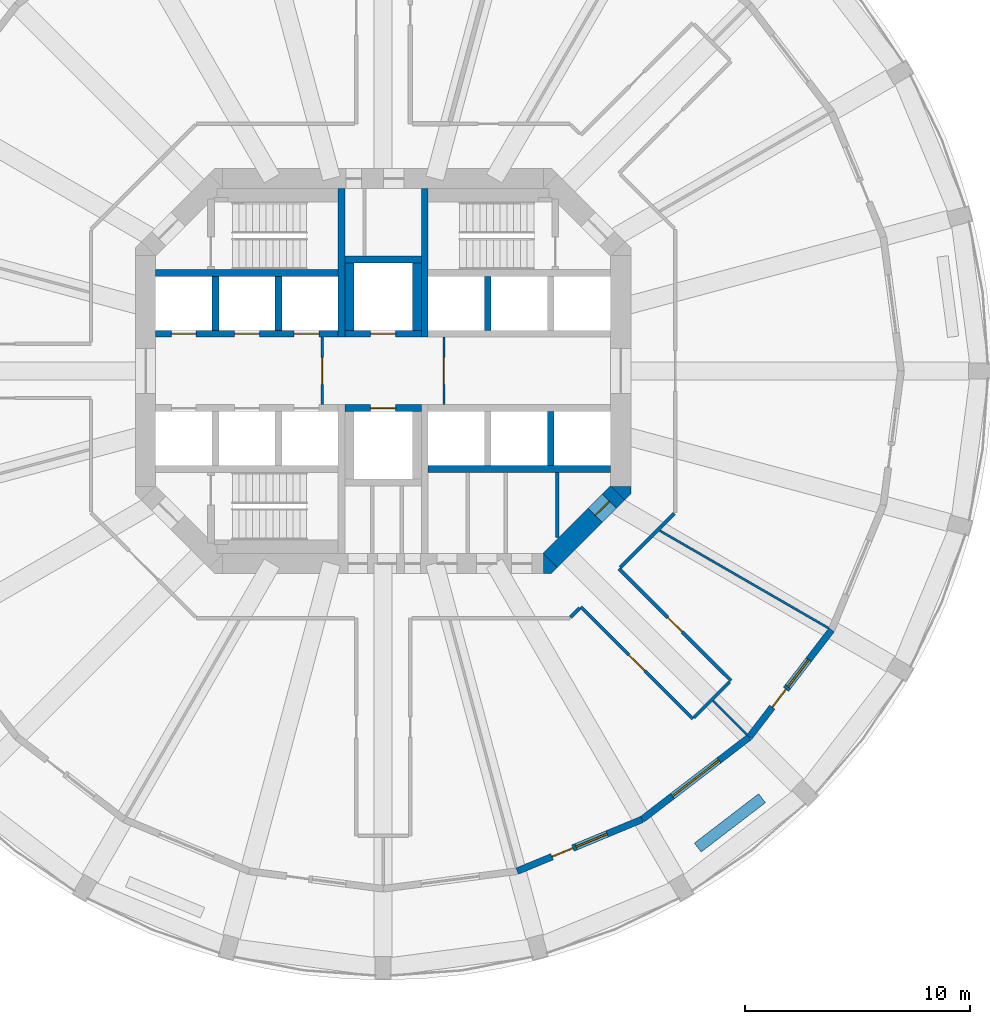
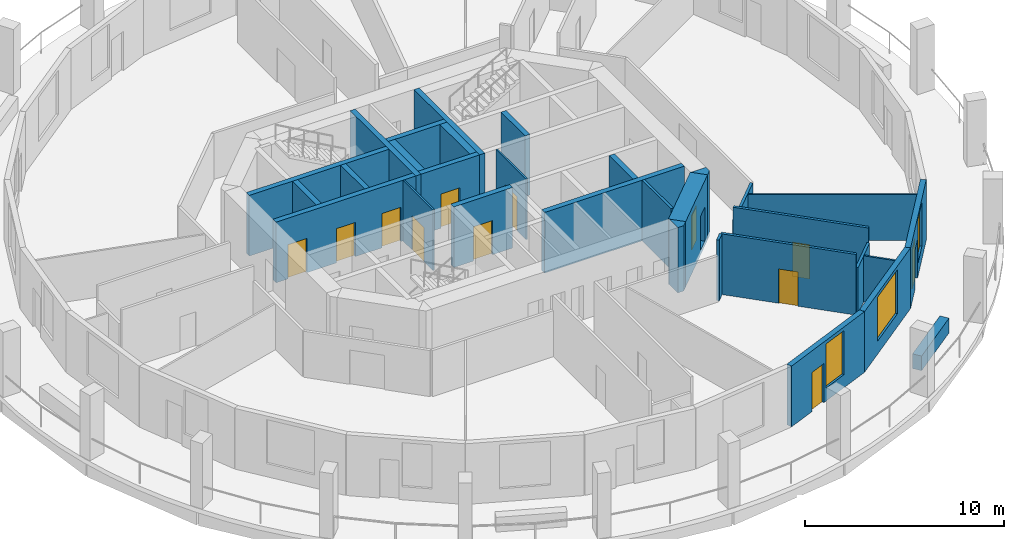
# One storey, part 4 of 9: 31 walls, 12 doors, 3 windows, 15 openings.
"""IFC4 building model written with IfcOpenShell, lengths in metres."""

from ifc_helpers import new_model, si_unit, direction, frame, frame_2d, origin, place, context, subcontext, project, spatial, polyline, rectangle, outline, extrude, material, layer, layer_set, type_object, element, fill, save


model = new_model("IFC4")

# Units and contexts
model_context = context("Model", 3, precision=1e-05, world=origin(), true_north=direction((0.0, 1.0)))
body_context = subcontext(model_context, "Body", "Model", "MODEL_VIEW")
ifc_project = project(units=[si_unit("LENGTHUNIT", "METRE"), si_unit("AREAUNIT", "SQUARE_METRE"), si_unit("VOLUMEUNIT", "CUBIC_METRE"), si_unit("PLANEANGLEUNIT", "RADIAN"), si_unit("MASSUNIT", "GRAM", prefix="KILO")], contexts=[model_context])

# Site, building, storey
site_placement = place(None, origin())
site = spatial("IfcSite", under=ifc_project, at=site_placement, CompositionType="ELEMENT")
building_placement = place(site_placement, origin())
building = spatial("IfcBuilding", under=site, at=building_placement, Name="Torre Triforio", CompositionType="ELEMENT")
storey_placement = place(building_placement, frame((0.0, 0.0, 51.0)))
storey = spatial("IfcBuildingStorey", under=building, at=storey_placement, Name="L10", CompositionType="ELEMENT", Elevation=51.0)

# Walls
ifc_material_1 = material(Name="Concrete C60", Category="concrete")
ifc_layer_1 = layer(ifc_material_1, 0.300048828125)
ifc_layer_set_1 = layer_set([ifc_layer_1], Name="Concrete C60")
wall_type_1 = type_object("IfcWallType", Name="Core wall 300 mm C60 EI 120", PredefinedType="SHEAR", material=ifc_layer_set_1)
for number, where, z_axis, x_axis, name in (
    (1, (-1.85009765625, 1.5, 0.0), (0.0, 0.0, 1.0), (0.0, 1.0, 0.0), "Core wall"),
    (2, (1.85009765625, 1.5, 0.0), (0.0, 0.0, 1.0), (0.0, 1.0, 0.0), "Core wall"),
):
    element("IfcWall", number, at=place(storey_placement, frame(where, z_axis=z_axis, x_axis=x_axis)), inside=storey, type_object=wall_type_1, Name=name, PredefinedType="SHEAR", context=body_context, shape_type="SweptSolid", body=[
        extrude(rectangle(XDim=6.60009765625, YDim=0.300048828125, at=frame_2d((3.300048828125, 0.0))), origin(), (0.0, 0.0, 1.0), 3.719970703125),
    ])

# Wall, opening, door
ifc_layer_2 = layer(ifc_material_1, 0.89990234375)
ifc_layer_set_2 = layer_set([ifc_layer_2], Name="Concrete C60")
wall_type_2 = type_object("IfcWallType", Name="Core wall 900 mm C60 EI 120", PredefinedType="SHEAR", material=ifc_layer_set_2)
wall_1_placement = place(storey_placement, frame((10.418212890625, -5.418212890625, -0.280029296875), z_axis=(0.0, 0.0, 1.0), x_axis=(-0.707106781187, -0.707106781187, 0.0)))
wall_1 = element("IfcWall", 3, at=wall_1_placement, inside=storey, type_object=wall_type_2, Name="Core wall", PredefinedType="SHEAR", context=body_context, shape_type="SweptSolid", body=[
    extrude(rectangle(XDim=4.24267578125, YDim=0.89990234375, at=frame_2d((2.121337890625, 0.0))), origin(), (0.0, 0.0, 1.0), 4.0),
])
opening_1_placement = place(wall_1_placement, frame((0.52001953125, 0.0, 0.280029296875)))
opening_1 = element("IfcOpeningElement", 4, at=opening_1_placement, cuts=wall_1, Name="Opening SE-04", PredefinedType="OPENING", context=body_context, shape_type="SweptSolid", body=[
    extrude(rectangle(XDim=0.89990234375, YDim=2.10009765625, at=frame_2d((0.449951171875, 1.050048828125))), frame((0.0, 0.4599609375, 0.0), z_axis=(0.0, -1.0, 0.0), x_axis=(1.0, 0.0, 0.0)), (0.0, 0.0, 1.0), 0.919921875),
])
ifc_material_2 = material(Name="Hollow metal fire door leaf")
door_type_1 = type_object("IfcDoorType", Name="Room door 900 x 2100 EI 60", OperationType="NOTDEFINED", PredefinedType="DOOR", material=ifc_material_2)
door_1_placement = place(opening_1_placement, origin())
door_1 = element("IfcDoor", 5, at=door_1_placement, inside=storey, type_object=door_type_1, Name="Core door SE-04", OperationType="SINGLE_SWING_RIGHT", OverallHeight=2.10009765625, OverallWidth=0.89990234375, PredefinedType="DOOR", context=body_context, shape_type="SweptSolid", body=[
    extrude(rectangle(XDim=0.89990234375, YDim=2.10009765625, at=frame_2d((0.449951171875, 1.050048828125))), frame((0.0, 0.02490234375, 0.0), z_axis=(0.0, -1.0, 0.0), x_axis=(1.0, 0.0, 0.0)), (0.0, 0.0, 1.0), 0.050048828125),
])
fill(opening_1, door_1)

# Walls
wall_2_placement = place(storey_placement, frame((0.0, 0.0, -0.280029296875)))
element("IfcWall", 6, at=wall_2_placement, inside=storey, type_object=wall_type_2, Name="Core wall", PredefinedType="SHEAR", context=body_context, shape_type="SweptSolid", body=[
    extrude(outline(polyline([(7.472900390625, -9.0), (7.1298828125, -9.0), (7.1298828125, -8.1298828125), (7.736328125, -8.736328125), (7.472900390625, -9.0)])), origin(), (0.0, 0.0, 1.0), 4.0),
])
wall_3_placement = place(storey_placement, frame((0.0, 0.0, -0.280029296875)))
element("IfcWall", 7, at=wall_3_placement, inside=storey, type_object=wall_type_2, Name="Core wall", PredefinedType="SHEAR", context=body_context, shape_type="SweptSolid", body=[
    extrude(outline(polyline([(11.0, -5.472900390625), (10.736328125, -5.736328125), (10.1298828125, -5.1298828125), (11.0, -5.1298828125), (11.0, -5.472900390625)])), origin(), (0.0, 0.0, 1.0), 4.0),
])
ifc_material_3 = material(Name="Plasterboard on metal studs")
ifc_layer_3 = layer(ifc_material_3, 0.14990234375)
ifc_layer_set_3 = layer_set([ifc_layer_3], Name="Plasterboard on metal studs")
wall_type_3 = type_object("IfcWallType", Name="Corridor and tenancy wall 150 mm EI 60", PredefinedType="PARTITIONING", material=ifc_layer_set_3)
wall_4_placement = place(storey_placement, frame((15.396240234375, -13.805419921875, 0.0), z_axis=(0.0, 0.0, 1.0), x_axis=(-0.707106781187, -0.707106781187, 0.0)))
element("IfcWall", 8, at=wall_4_placement, inside=storey, type_object=wall_type_3, Name="Partition 1", PredefinedType="PARTITIONING", context=body_context, shape_type="SweptSolid", body=[
    extrude(rectangle(XDim=2.249755859375, YDim=0.14990234375, at=frame_2d((1.125, 0.0))), origin(), (0.0, 0.0, 1.0), 2.820068359375),
])

# Wall, opening, door
wall_5_placement = place(storey_placement, frame((13.752197265625, -15.449462890625, 0.0), z_axis=(0.0, 0.0, 1.0), x_axis=(-0.707089406061, 0.707124155885, 0.0)))
wall_5 = element("IfcWall", 9, at=wall_5_placement, inside=storey, type_object=wall_type_3, Name="Partition 2", PredefinedType="PARTITIONING", context=body_context, shape_type="SweptSolid", body=[
    extrude(rectangle(XDim=7.025634765625, YDim=0.14990234375, at=frame_2d((3.5126953125, 0.0))), origin(), (0.0, 0.0, 1.0), 3.719970703125),
])
opening_2_placement = place(wall_5_placement, frame((3.0126953125, 0.0, 0.0)))
opening_2 = element("IfcOpeningElement", 10, at=opening_2_placement, cuts=wall_5, Name="Opening N3-07", PredefinedType="OPENING", context=body_context, shape_type="SweptSolid", body=[
    extrude(rectangle(XDim=1.0, YDim=2.10009765625, at=frame_2d((0.5, 1.050048828125))), frame((0.0, 0.0849609375, 0.0), z_axis=(0.0, -1.0, 0.0), x_axis=(1.0, 0.0, 0.0)), (0.0, 0.0, 1.0), 0.169921875),
])
ifc_material_4 = material(Name="Timber", Category="wood")
door_type_2 = type_object("IfcDoorType", Name="Door 1000 x 2100 single leaf EI 30", OperationType="NOTDEFINED", PredefinedType="DOOR", material=ifc_material_4)
door_2_placement = place(opening_2_placement, origin())
door_2 = element("IfcDoor", 11, at=door_2_placement, inside=storey, type_object=door_type_2, Name="Door N3-07", OperationType="SINGLE_SWING_RIGHT", OverallHeight=2.10009765625, OverallWidth=1.0, PredefinedType="DOOR", context=body_context, shape_type="SweptSolid", body=[
    extrude(rectangle(XDim=1.0, YDim=2.10009765625, at=frame_2d((0.5, 1.050048828125))), frame((0.0, 0.02490234375, 0.0), z_axis=(0.0, -1.0, 0.0), x_axis=(1.0, 0.0, 0.0)), (0.0, 0.0, 1.0), 0.050048828125),
])
fill(opening_2, door_2)

# Walls
wall_6_placement = place(storey_placement, frame((8.7314453125, -10.534423828125, 0.0), z_axis=(0.0, 0.0, 1.0), x_axis=(-0.707106781187, -0.707106781187, 0.0)))
element("IfcWall", 12, at=wall_6_placement, inside=storey, type_object=wall_type_3, Name="Partition 3", PredefinedType="PARTITIONING", context=body_context, shape_type="SweptSolid", body=[
    extrude(rectangle(XDim=0.57080078125, YDim=0.14990234375, at=frame_2d((0.285400390625, 0.0))), origin(), (0.0, 0.0, 1.0), 3.719970703125),
])
wall_7_placement = place(storey_placement, frame((12.93798828125, -6.327880859375, 0.0), z_axis=(0.0, 0.0, 1.0), x_axis=(-0.707106781187, -0.707106781187, 0.0)))
element("IfcWall", 13, at=wall_7_placement, inside=storey, type_object=wall_type_3, Name="Partition 29", PredefinedType="PARTITIONING", context=body_context, shape_type="SweptSolid", body=[
    extrude(rectangle(XDim=3.399169921875, YDim=0.14990234375, at=frame_2d((1.69970703125, 0.0))), origin(), (0.0, 0.0, 1.0), 2.820068359375),
])

# Wall, opening, door
wall_8_placement = place(storey_placement, frame((10.4814453125, -8.784423828125, 0.0), z_axis=(0.0, 0.0, 1.0), x_axis=(0.707124155885, -0.707089406061, 0.0)))
wall_8 = element("IfcWall", 14, at=wall_8_placement, inside=storey, type_object=wall_type_3, Name="Partition 30", PredefinedType="PARTITIONING", context=body_context, shape_type="SweptSolid", body=[
    extrude(rectangle(XDim=7.025634765625, YDim=0.14990234375, at=frame_2d((3.5126953125, 0.0))), origin(), (0.0, 0.0, 1.0), 3.719970703125),
])
opening_3_placement = place(wall_8_placement, frame((3.062744140625, 0.0, 0.0)))
opening_3 = element("IfcOpeningElement", 15, at=opening_3_placement, cuts=wall_8, Name="Opening N3-08", PredefinedType="OPENING", context=body_context, shape_type="SweptSolid", body=[
    extrude(rectangle(XDim=0.89990234375, YDim=2.10009765625, at=frame_2d((0.449951171875, 1.050048828125))), frame((0.0, 0.0849609375, 0.0), z_axis=(0.0, -1.0, 0.0), x_axis=(1.0, 0.0, 0.0)), (0.0, 0.0, 1.0), 0.169921875),
])
door_type_3 = type_object("IfcDoorType", Name="Door 900 x 2100 single leaf EI 30", OperationType="NOTDEFINED", PredefinedType="DOOR", material=ifc_material_4)
door_3_placement = place(opening_3_placement, origin())
door_3 = element("IfcDoor", 16, at=door_3_placement, inside=storey, type_object=door_type_3, Name="Door N3-08", OperationType="SINGLE_SWING_LEFT", OverallHeight=2.10009765625, OverallWidth=0.89990234375, PredefinedType="DOOR", context=body_context, shape_type="SweptSolid", body=[
    extrude(rectangle(XDim=0.89990234375, YDim=2.10009765625, at=frame_2d((0.449951171875, 1.050048828125))), frame((0.0, 0.02490234375, 0.0), z_axis=(0.0, -1.0, 0.0), x_axis=(1.0, 0.0, 0.0)), (0.0, 0.0, 1.0), 0.050048828125),
])
fill(opening_3, door_3)

ifc_material_5 = material(Name="Block and board partition")
ifc_layer_4 = layer(ifc_material_5, 0.10009765625)
ifc_layer_set_4 = layer_set([ifc_layer_4], Name="Block and board partition")
wall_type_4 = type_object("IfcWallType", Name="Partition 100 mm EI 120", PredefinedType="PARTITIONING", material=ifc_layer_set_4)
wall_9_placement = place(storey_placement, frame((-2.699951171875, -1.5, 0.0), z_axis=(0.0, 0.0, 1.0), x_axis=(0.0, 1.0, 0.0)))
wall_9 = element("IfcWall", 17, at=wall_9_placement, inside=storey, type_object=wall_type_4, Name="Partition", PredefinedType="PARTITIONING", context=body_context, shape_type="SweptSolid", body=[
    extrude(rectangle(XDim=3.0, YDim=0.10009765625, at=frame_2d((1.5, 0.0))), origin(), (0.0, 0.0, 1.0), 3.719970703125),
])
opening_4_placement = place(wall_9_placement, frame((0.89990234375, 0.0, 0.0)))
opening_4 = element("IfcOpeningElement", 18, at=opening_4_placement, cuts=wall_9, Name="Opening FF-W", PredefinedType="OPENING", context=body_context, shape_type="SweptSolid", body=[
    extrude(rectangle(XDim=1.199951171875, YDim=2.10009765625, at=frame_2d((0.60009765625, 1.050048828125))), frame((0.0, 0.06005859375, 0.0), z_axis=(0.0, -1.0, 0.0), x_axis=(1.0, 0.0, 0.0)), (0.0, 0.0, 1.0), 0.1201171875),
])
door_type_4 = type_object("IfcDoorType", Name="Fire-fighting lobby door 1200 x 2100 EI 60", OperationType="NOTDEFINED", PredefinedType="DOOR", material=ifc_material_2)
door_4_placement = place(opening_4_placement, origin())
door_4 = element("IfcDoor", 19, at=door_4_placement, inside=storey, type_object=door_type_4, Name="Core door FF-W", OperationType="SINGLE_SWING_RIGHT", OverallHeight=2.10009765625, OverallWidth=1.199951171875, PredefinedType="DOOR", context=body_context, shape_type="SweptSolid", body=[
    extrude(rectangle(XDim=1.199951171875, YDim=2.10009765625, at=frame_2d((0.60009765625, 1.050048828125))), frame((0.0, 0.02490234375, 0.0), z_axis=(0.0, -1.0, 0.0), x_axis=(1.0, 0.0, 0.0)), (0.0, 0.0, 1.0), 0.050048828125),
])
fill(opening_4, door_4)

wall_10_placement = place(storey_placement, frame((2.699951171875, -1.5, 0.0), z_axis=(0.0, 0.0, 1.0), x_axis=(0.0, 1.0, 0.0)))
wall_10 = element("IfcWall", 20, at=wall_10_placement, inside=storey, type_object=wall_type_4, Name="Partition", PredefinedType="PARTITIONING", context=body_context, shape_type="SweptSolid", body=[
    extrude(rectangle(XDim=3.0, YDim=0.10009765625, at=frame_2d((1.5, 0.0))), origin(), (0.0, 0.0, 1.0), 3.719970703125),
])
opening_5_placement = place(wall_10_placement, frame((0.89990234375, 0.0, 0.0)))
opening_5 = element("IfcOpeningElement", 21, at=opening_5_placement, cuts=wall_10, Name="Opening FF-E", PredefinedType="OPENING", context=body_context, shape_type="SweptSolid", body=[
    extrude(rectangle(XDim=1.199951171875, YDim=2.10009765625, at=frame_2d((0.60009765625, 1.050048828125))), frame((0.0, 0.06005859375, 0.0), z_axis=(0.0, -1.0, 0.0), x_axis=(1.0, 0.0, 0.0)), (0.0, 0.0, 1.0), 0.1201171875),
])
door_5_placement = place(opening_5_placement, origin())
door_5 = element("IfcDoor", 22, at=door_5_placement, inside=storey, type_object=door_type_4, Name="Core door FF-E", OperationType="SINGLE_SWING_RIGHT", OverallHeight=2.10009765625, OverallWidth=1.199951171875, PredefinedType="DOOR", context=body_context, shape_type="SweptSolid", body=[
    extrude(rectangle(XDim=1.199951171875, YDim=2.10009765625, at=frame_2d((0.60009765625, 1.050048828125))), frame((0.0, 0.02490234375, 0.0), z_axis=(0.0, -1.0, 0.0), x_axis=(1.0, 0.0, 0.0)), (0.0, 0.0, 1.0), 0.050048828125),
])
fill(opening_5, door_5)

# Walls
ifc_layer_5 = layer(ifc_material_3, 0.10009765625)
ifc_layer_set_5 = layer_set([ifc_layer_5], Name="Plasterboard on metal studs")
wall_type_5 = type_object("IfcWallType", Name="Partition 100 mm board on metal studs", PredefinedType="PARTITIONING", material=ifc_layer_set_5)
wall_11_placement = place(storey_placement, frame((14.65380859375, -14.65380859375, 0.0), z_axis=(0.0, 0.0, 1.0), x_axis=(0.707106781187, -0.707106781187, 0.0)))
element("IfcWall", 23, at=wall_11_placement, inside=storey, type_object=wall_type_5, Name="Partition 42", PredefinedType="PARTITIONING", context=body_context, shape_type="SweptSolid", body=[
    extrude(rectangle(XDim=2.113037109375, YDim=0.10009765625, at=frame_2d((1.056640625, 0.0))), origin(), (0.0, 0.0, 1.0), 2.820068359375),
])
wall_12_placement = place(storey_placement, frame((12.294189453125, -7.097900390625, 0.0), z_axis=(0.0, 0.0, 1.0), x_axis=(0.866010547425, -0.500025731086, 0.0)))
element("IfcWall", 24, at=wall_12_placement, inside=storey, type_object=wall_type_5, Name="Partition 43", PredefinedType="PARTITIONING", context=body_context, shape_type="SweptSolid", body=[
    extrude(rectangle(XDim=8.640625, YDim=0.10009765625, at=frame_2d((4.3203125, 0.0))), origin(), (0.0, 0.0, 1.0), 2.820068359375),
])
ifc_layer_6 = layer(ifc_material_5, 0.14990234375)
ifc_layer_set_6 = layer_set([ifc_layer_6], Name="Block and board partition")
wall_type_6 = type_object("IfcWallType", Name="Partition 150 mm", PredefinedType="PARTITIONING", material=ifc_layer_set_6)
wall_13_placement = place(storey_placement, frame((7.72998046875, -7.39501953125, 0.0), z_axis=(0.0, 0.0, 1.0), x_axis=(0.0, 1.0, 0.0)))
element("IfcWall", 25, at=wall_13_placement, inside=storey, type_object=wall_type_6, Name="Partition", PredefinedType="PARTITIONING", context=body_context, shape_type="SweptSolid", body=[
    extrude(rectangle(XDim=2.89501953125, YDim=0.14990234375, at=frame_2d((1.447509765625, 0.0))), origin(), (0.0, 0.0, 1.0), 3.719970703125),
])
ifc_material_6 = material(Name="Limestone cladding", Category="masonry")
ifc_layer_7 = layer(ifc_material_6, 0.10009765625)
ifc_material_7 = material(Name="Concrete C40", Category="concrete")
ifc_layer_8 = layer(ifc_material_7, 0.39990234375)
ifc_layer_set_7 = layer_set([ifc_layer_7, ifc_layer_8], Name="Limestone cladding / Concrete C40")
wall_type_7 = type_object("IfcWallType", Name="Planter wall 500", PredefinedType="PARAPET", material=ifc_layer_set_7)
wall_14_placement = place(storey_placement, frame((13.9736328125, -21.16748046875, 0.0), z_axis=(0.0, 0.0, 1.0), x_axis=(0.793359599829, 0.608753271334, 0.0)))
element("IfcWall", 26, at=wall_14_placement, inside=storey, type_object=wall_type_7, Name="Planter L10 bay 21", PredefinedType="PARAPET", context=body_context, shape_type="SweptSolid", body=[
    extrude(rectangle(XDim=3.599853515625, YDim=0.5, at=frame_2d((1.7998046875, 0.0))), origin(), (0.0, 0.0, 1.0), 0.89990234375),
])
ifc_layer_9 = layer(ifc_material_1, 0.300048828125)
ifc_layer_set_8 = layer_set([ifc_layer_9], Name="Concrete C60")
wall_type_8 = type_object("IfcWallType", Name="Shaft wall 300 mm C60 EI 120", PredefinedType="SOLIDWALL", material=ifc_layer_set_8)
for number, where, z_axis, x_axis, name in (
    (27, (-10.10009765625, 4.35009765625, 0.0), (0.0, 0.0, 1.0), (1.0, 0.0, 0.0), "Shaft wall"),
    (28, (2.0, -4.35009765625, 0.0), (0.0, 0.0, 1.0), (1.0, 0.0, 0.0), "Shaft wall"),
):
    element("IfcWall", number, at=place(storey_placement, frame(where, z_axis=z_axis, x_axis=x_axis)), inside=storey, type_object=wall_type_8, Name=name, PredefinedType="SOLIDWALL", context=body_context, shape_type="SweptSolid", body=[
        extrude(rectangle(XDim=8.10009765625, YDim=0.300048828125, at=frame_2d((4.050048828125, 0.0))), origin(), (0.0, 0.0, 1.0), 3.719970703125),
    ])

# Wall, openings, doors
wall_15_placement = place(storey_placement, frame((-10.10009765625, 1.64990234375, 0.0), z_axis=(0.0, 0.0, 1.0), x_axis=(1.0, 0.0, 0.0)))
wall_15 = element("IfcWall", 29, at=wall_15_placement, inside=storey, type_object=wall_type_8, Name="Shaft wall", PredefinedType="SOLIDWALL", context=body_context, shape_type="SweptSolid", body=[
    extrude(rectangle(XDim=8.10009765625, YDim=0.300048828125, at=frame_2d((4.050048828125, 0.0))), origin(), (0.0, 0.0, 1.0), 3.719970703125),
])
opening_6_placement = place(wall_15_placement, frame((0.699951171875, 0.0, 0.0)))
opening_6 = element("IfcOpeningElement", 30, at=opening_6_placement, cuts=wall_15, Name="Opening LD", PredefinedType="OPENING", context=body_context, shape_type="SweptSolid", body=[
    extrude(rectangle(XDim=1.10009765625, YDim=2.10009765625, at=frame_2d((0.550048828125, 1.050048828125))), frame((0.0, 0.159912109375, 0.0), z_axis=(0.0, -1.0, 0.0), x_axis=(1.0, 0.0, 0.0)), (0.0, 0.0, 1.0), 0.320068359375),
])
opening_7_placement = place(wall_15_placement, frame((3.5, 0.0, 0.0)))
opening_7 = element("IfcOpeningElement", 31, at=opening_7_placement, cuts=wall_15, Name="Opening LD", PredefinedType="OPENING", context=body_context, shape_type="SweptSolid", body=[
    extrude(rectangle(XDim=1.10009765625, YDim=2.10009765625, at=frame_2d((0.550048828125, 1.050048828125))), frame((0.0, 0.159912109375, 0.0), z_axis=(0.0, -1.0, 0.0), x_axis=(1.0, 0.0, 0.0)), (0.0, 0.0, 1.0), 0.320068359375),
])
opening_8_placement = place(wall_15_placement, frame((6.14990234375, 0.0, 0.0)))
opening_8 = element("IfcOpeningElement", 32, at=opening_8_placement, cuts=wall_15, Name="Opening LD", PredefinedType="OPENING", context=body_context, shape_type="SweptSolid", body=[
    extrude(rectangle(XDim=1.10009765625, YDim=2.10009765625, at=frame_2d((0.550048828125, 1.050048828125))), frame((0.0, 0.159912109375, 0.0), z_axis=(0.0, -1.0, 0.0), x_axis=(1.0, 0.0, 0.0)), (0.0, 0.0, 1.0), 0.320068359375),
])
door_type_5 = type_object("IfcDoorType", Name="Landing door 1100 x 2100 EI 60", OperationType="DOUBLE_DOOR_SLIDING", PredefinedType="DOOR", material=ifc_material_2)
door_6_placement = place(opening_6_placement, origin())
door_6 = element("IfcDoor", 33, at=door_6_placement, inside=storey, type_object=door_type_5, Name="Landing door LR1", OperationType="DOUBLE_DOOR_SLIDING", OverallHeight=2.10009765625, OverallWidth=1.10009765625, PredefinedType="DOOR", context=body_context, shape_type="SweptSolid", body=[
    extrude(rectangle(XDim=1.10009765625, YDim=2.10009765625, at=frame_2d((0.550048828125, 1.050048828125))), frame((0.0, 0.02490234375, 0.0), z_axis=(0.0, -1.0, 0.0), x_axis=(1.0, 0.0, 0.0)), (0.0, 0.0, 1.0), 0.050048828125),
])
fill(opening_6, door_6)
door_7_placement = place(opening_7_placement, origin())
door_7 = element("IfcDoor", 34, at=door_7_placement, inside=storey, type_object=door_type_5, Name="Landing door LR2", OperationType="DOUBLE_DOOR_SLIDING", OverallHeight=2.10009765625, OverallWidth=1.10009765625, PredefinedType="DOOR", context=body_context, shape_type="SweptSolid", body=[
    extrude(rectangle(XDim=1.10009765625, YDim=2.10009765625, at=frame_2d((0.550048828125, 1.050048828125))), frame((0.0, 0.02490234375, 0.0), z_axis=(0.0, -1.0, 0.0), x_axis=(1.0, 0.0, 0.0)), (0.0, 0.0, 1.0), 0.050048828125),
])
fill(opening_7, door_7)
door_8_placement = place(opening_8_placement, origin())
door_8 = element("IfcDoor", 35, at=door_8_placement, inside=storey, type_object=door_type_5, Name="Landing door LR3", OperationType="DOUBLE_DOOR_SLIDING", OverallHeight=2.10009765625, OverallWidth=1.10009765625, PredefinedType="DOOR", context=body_context, shape_type="SweptSolid", body=[
    extrude(rectangle(XDim=1.10009765625, YDim=2.10009765625, at=frame_2d((0.550048828125, 1.050048828125))), frame((0.0, 0.02490234375, 0.0), z_axis=(0.0, -1.0, 0.0), x_axis=(1.0, 0.0, 0.0)), (0.0, 0.0, 1.0), 0.050048828125),
])
fill(opening_8, door_8)

# Walls
for number, where, z_axis, x_axis, name in (
    (36, (-7.449951171875, 1.800048828125, 0.0), (0.0, 0.0, 1.0), (0.0, 1.0, 0.0), "Shaft wall"),
    (37, (-4.64990234375, 1.800048828125, 0.0), (0.0, 0.0, 1.0), (0.0, 1.0, 0.0), "Shaft wall"),
    (38, (4.64990234375, 1.800048828125, 0.0), (0.0, 0.0, 1.0), (0.0, 1.0, 0.0), "Shaft wall"),
    (39, (7.449951171875, -4.199951171875, 0.0), (0.0, 0.0, 1.0), (0.0, 1.0, 0.0), "Shaft wall"),
):
    element("IfcWall", number, at=place(storey_placement, frame(where, z_axis=z_axis, x_axis=x_axis)), inside=storey, type_object=wall_type_8, Name=name, PredefinedType="SOLIDWALL", context=body_context, shape_type="SweptSolid", body=[
        extrude(rectangle(XDim=2.39990234375, YDim=0.300048828125, at=frame_2d((1.199951171875, 0.0))), origin(), (0.0, 0.0, 1.0), 3.719970703125),
    ])

# Wall, opening, door
wall_16_placement = place(storey_placement, frame((-1.699951171875, 1.64990234375, 0.0), z_axis=(0.0, 0.0, 1.0), x_axis=(1.0, 0.0, 0.0)))
wall_16 = element("IfcWall", 40, at=wall_16_placement, inside=storey, type_object=wall_type_8, Name="Shaft wall", PredefinedType="SOLIDWALL", context=body_context, shape_type="SweptSolid", body=[
    extrude(rectangle(XDim=3.39990234375, YDim=0.300048828125, at=frame_2d((1.699951171875, 0.0))), origin(), (0.0, 0.0, 1.0), 3.719970703125),
])
opening_9_placement = place(wall_16_placement, frame((1.14990234375, 0.0, 0.0)))
opening_9 = element("IfcOpeningElement", 41, at=opening_9_placement, cuts=wall_16, Name="Opening LD", PredefinedType="OPENING", context=body_context, shape_type="SweptSolid", body=[
    extrude(rectangle(XDim=1.10009765625, YDim=2.10009765625, at=frame_2d((0.550048828125, 1.050048828125))), frame((0.0, 0.159912109375, 0.0), z_axis=(0.0, -1.0, 0.0), x_axis=(1.0, 0.0, 0.0)), (0.0, 0.0, 1.0), 0.320068359375),
])
door_9_placement = place(opening_9_placement, origin())
door_9 = element("IfcDoor", 42, at=door_9_placement, inside=storey, type_object=door_type_5, Name="Landing door FFL1", OperationType="DOUBLE_DOOR_SLIDING", OverallHeight=2.10009765625, OverallWidth=1.10009765625, PredefinedType="DOOR", context=body_context, shape_type="SweptSolid", body=[
    extrude(rectangle(XDim=1.10009765625, YDim=2.10009765625, at=frame_2d((0.550048828125, 1.050048828125))), frame((0.0, 0.02490234375, 0.0), z_axis=(0.0, -1.0, 0.0), x_axis=(1.0, 0.0, 0.0)), (0.0, 0.0, 1.0), 0.050048828125),
])
fill(opening_9, door_9)

wall_17_placement = place(storey_placement, frame((-1.699951171875, -1.64990234375, 0.0), z_axis=(0.0, 0.0, 1.0), x_axis=(1.0, 0.0, 0.0)))
wall_17 = element("IfcWall", 43, at=wall_17_placement, inside=storey, type_object=wall_type_8, Name="Shaft wall", PredefinedType="SOLIDWALL", context=body_context, shape_type="SweptSolid", body=[
    extrude(rectangle(XDim=3.39990234375, YDim=0.300048828125, at=frame_2d((1.699951171875, 0.0))), origin(), (0.0, 0.0, 1.0), 3.719970703125),
])
opening_10_placement = place(wall_17_placement, frame((1.14990234375, 0.0, 0.0)))
opening_10 = element("IfcOpeningElement", 44, at=opening_10_placement, cuts=wall_17, Name="Opening LD", PredefinedType="OPENING", context=body_context, shape_type="SweptSolid", body=[
    extrude(rectangle(XDim=1.10009765625, YDim=2.10009765625, at=frame_2d((0.550048828125, 1.050048828125))), frame((0.0, 0.159912109375, 0.0), z_axis=(0.0, -1.0, 0.0), x_axis=(1.0, 0.0, 0.0)), (0.0, 0.0, 1.0), 0.320068359375),
])
door_10_placement = place(opening_10_placement, origin())
door_10 = element("IfcDoor", 45, at=door_10_placement, inside=storey, type_object=door_type_5, Name="Landing door FFL2", OperationType="DOUBLE_DOOR_SLIDING", OverallHeight=2.10009765625, OverallWidth=1.10009765625, PredefinedType="DOOR", context=body_context, shape_type="SweptSolid", body=[
    extrude(rectangle(XDim=1.10009765625, YDim=2.10009765625, at=frame_2d((0.550048828125, 1.050048828125))), frame((0.0, 0.02490234375, 0.0), z_axis=(0.0, -1.0, 0.0), x_axis=(1.0, 0.0, 0.0)), (0.0, 0.0, 1.0), 0.050048828125),
])
fill(opening_10, door_10)

# Walls
wall_18_placement = place(storey_placement, frame((-1.699951171875, 4.949951171875, 0.0), z_axis=(0.0, 0.0, 1.0), x_axis=(1.0, 0.0, 0.0)))
element("IfcWall", 46, at=wall_18_placement, inside=storey, type_object=wall_type_8, Name="Shaft wall", PredefinedType="SOLIDWALL", context=body_context, shape_type="SweptSolid", body=[
    extrude(rectangle(XDim=3.39990234375, YDim=0.300048828125, at=frame_2d((1.699951171875, 0.0))), origin(), (0.0, 0.0, 1.0), 3.719970703125),
])
ifc_layer_10 = layer(ifc_material_1, 0.39990234375)
ifc_layer_set_9 = layer_set([ifc_layer_10], Name="Concrete C60")
wall_type_9 = type_object("IfcWallType", Name="Shaft wall 400 mm C60 EI 120", PredefinedType="SOLIDWALL", material=ifc_layer_set_9)
for number, where, z_axis, x_axis, name in (
    (47, (-1.5, 1.800048828125, 0.0), (0.0, 0.0, 1.0), (0.0, 1.0, 0.0), "Shaft wall"),
    (48, (1.5, 1.800048828125, 0.0), (0.0, 0.0, 1.0), (0.0, 1.0, 0.0), "Shaft wall"),
):
    element("IfcWall", number, at=place(storey_placement, frame(where, z_axis=z_axis, x_axis=x_axis)), inside=storey, type_object=wall_type_9, Name=name, PredefinedType="SOLIDWALL", context=body_context, shape_type="SweptSolid", body=[
        extrude(rectangle(XDim=3.0, YDim=0.39990234375, at=frame_2d((1.5, 0.0))), origin(), (0.0, 0.0, 1.0), 3.719970703125),
    ])

# Wall, openings, door, window
ifc_layer_11 = layer(ifc_material_6, 0.10009765625)
ifc_layer_12 = layer(ifc_material_7, 0.199951171875)
ifc_layer_set_10 = layer_set([ifc_layer_11, ifc_layer_12], Name="Limestone cladding / Concrete C40")
wall_type_10 = type_object("IfcWallType", Name="Stone-faced composite wall 300", PredefinedType="STANDARD", material=ifc_layer_set_10)
wall_19_placement = place(storey_placement, frame((5.952880859375, -22.21630859375, 0.0), z_axis=(0.0, 0.0, 1.0), x_axis=(0.923884511653, 0.382671411433, 0.0)))
wall_19 = element("IfcWall", 49, at=wall_19_placement, inside=storey, type_object=wall_type_10, Name="External wall L10 bay 20", PredefinedType="STANDARD", context=body_context, shape_type="SweptSolid", body=[
    extrude(rectangle(XDim=6.004150390625, YDim=0.300048828125, at=frame_2d((3.001953125, 0.0))), origin(), (0.0, 0.0, 1.0), 3.719970703125),
])
opening_11_placement = place(wall_19_placement, frame((1.677001953125, 0.0, 0.0)))
opening_11 = element("IfcOpeningElement", 50, at=opening_11_placement, cuts=wall_19, Name="Opening N3-D20", PredefinedType="OPENING", context=body_context, shape_type="SweptSolid", body=[
    extrude(rectangle(XDim=1.0, YDim=2.39990234375, at=frame_2d((0.5, 1.199951171875))), frame((0.0, 0.159912109375, 0.0), z_axis=(0.0, -1.0, 0.0), x_axis=(1.0, 0.0, 0.0)), (0.0, 0.0, 1.0), 0.320068359375),
])
opening_12_placement = place(wall_19_placement, frame((2.8271484375, 0.0, 0.800048828125)))
opening_12 = element("IfcOpeningElement", 51, at=opening_12_placement, cuts=wall_19, Name="Opening N3-W20A", PredefinedType="OPENING", context=body_context, shape_type="SweptSolid", body=[
    extrude(rectangle(XDim=1.5, YDim=2.699951171875, at=frame_2d((0.75, 1.35009765625))), frame((0.0, 0.159912109375, 0.0), z_axis=(0.0, -1.0, 0.0), x_axis=(1.0, 0.0, 0.0)), (0.0, 0.0, 1.0), 0.320068359375),
])
ifc_material_8 = material(Name="Aluminium frame with clear double glazing", Category="aluminium")
door_type_6 = type_object("IfcDoorType", Name="Loggia door 1000 x 2400", OperationType="NOTDEFINED", PredefinedType="DOOR", material=ifc_material_8)
door_11_placement = place(opening_11_placement, origin())
door_11 = element("IfcDoor", 52, at=door_11_placement, inside=storey, type_object=door_type_6, Name="Loggia door L10 bay 20", OperationType="SINGLE_SWING_LEFT", OverallHeight=2.39990234375, OverallWidth=1.0, PredefinedType="DOOR", context=body_context, shape_type="SweptSolid", body=[
    extrude(rectangle(XDim=1.0, YDim=2.39990234375, at=frame_2d((0.5, 1.199951171875))), frame((0.0, 0.02490234375, 0.0), z_axis=(0.0, -1.0, 0.0), x_axis=(1.0, 0.0, 0.0)), (0.0, 0.0, 1.0), 0.050048828125),
])
fill(opening_11, door_11)
window_type_1 = type_object("IfcWindowType", Name="Side window 1500 x 2700", PartitioningType="SINGLE_PANEL", PredefinedType="WINDOW", material=ifc_material_8)
window_1_placement = place(opening_12_placement, origin())
window_1 = element("IfcWindow", 53, at=window_1_placement, inside=storey, type_object=window_type_1, Name="Side window EWN12 L10 bay 20", OverallHeight=2.699951171875, OverallWidth=1.5, PartitioningType="SINGLE_PANEL", PredefinedType="WINDOW", context=body_context, shape_type="SweptSolid", body=[
    extrude(rectangle(XDim=1.5, YDim=2.699951171875, at=frame_2d((0.75, 1.35009765625))), frame((0.0, 0.030029296875, 0.0), z_axis=(0.0, -1.0, 0.0), x_axis=(1.0, 0.0, 0.0)), (0.0, 0.0, 1.0), 0.06005859375),
])
fill(opening_12, window_1)

# Wall, opening, window
wall_20_placement = place(storey_placement, frame((11.5, -19.918701171875, 0.0), z_axis=(0.0, 0.0, 1.0), x_axis=(0.793339924758, 0.608778912074, 0.0)))
wall_20 = element("IfcWall", 54, at=wall_20_placement, inside=storey, type_object=wall_type_10, Name="External wall L10 bay 21", PredefinedType="STANDARD", context=body_context, shape_type="SweptSolid", body=[
    extrude(rectangle(XDim=6.004150390625, YDim=0.300048828125, at=frame_2d((3.001953125, 0.0))), origin(), (0.0, 0.0, 1.0), 3.719970703125),
])
opening_13_placement = place(wall_20_placement, frame((1.7021484375, 0.0, 0.800048828125)))
opening_13 = element("IfcOpeningElement", 55, at=opening_13_placement, cuts=wall_20, Name="Opening N3-W21", PredefinedType="OPENING", context=body_context, shape_type="SweptSolid", body=[
    extrude(rectangle(XDim=2.60009765625, YDim=2.699951171875, at=frame_2d((1.300048828125, 1.35009765625))), frame((0.0, 0.159912109375, 0.0), z_axis=(0.0, -1.0, 0.0), x_axis=(1.0, 0.0, 0.0)), (0.0, 0.0, 1.0), 0.320068359375),
])
window_type_2 = type_object("IfcWindowType", Name="Punched window 2600 x 2700", PartitioningType="DOUBLE_PANEL_VERTICAL", PredefinedType="WINDOW", material=ifc_material_8)
window_2_placement = place(opening_13_placement, origin())
window_2 = element("IfcWindow", 56, at=window_2_placement, inside=storey, type_object=window_type_2, Name="Window EWN2 L10 bay 21", OverallHeight=2.699951171875, OverallWidth=2.60009765625, PartitioningType="SINGLE_PANEL", PredefinedType="WINDOW", context=body_context, shape_type="SweptSolid", body=[
    extrude(rectangle(XDim=2.60009765625, YDim=2.699951171875, at=frame_2d((1.300048828125, 1.35009765625))), frame((0.0, 0.030029296875, 0.0), z_axis=(0.0, -1.0, 0.0), x_axis=(1.0, 0.0, 0.0)), (0.0, 0.0, 1.0), 0.06005859375),
])
fill(opening_13, window_2)

# Wall, openings, door, window
wall_21_placement = place(storey_placement, frame((16.263427734375, -16.263427734375, 0.0), z_axis=(0.0, 0.0, 1.0), x_axis=(0.608778912074, 0.793339924758, 0.0)))
wall_21 = element("IfcWall", 57, at=wall_21_placement, inside=storey, type_object=wall_type_10, Name="External wall L10 bay 22", PredefinedType="STANDARD", context=body_context, shape_type="SweptSolid", body=[
    extrude(rectangle(XDim=6.004150390625, YDim=0.300048828125, at=frame_2d((3.001953125, 0.0))), origin(), (0.0, 0.0, 1.0), 3.719970703125),
])
opening_14_placement = place(wall_21_placement, frame((1.677001953125, 0.0, 0.0)))
opening_14 = element("IfcOpeningElement", 58, at=opening_14_placement, cuts=wall_21, Name="Opening N3-D22", PredefinedType="OPENING", context=body_context, shape_type="SweptSolid", body=[
    extrude(rectangle(XDim=1.0, YDim=2.39990234375, at=frame_2d((0.5, 1.199951171875))), frame((0.0, 0.159912109375, 0.0), z_axis=(0.0, -1.0, 0.0), x_axis=(1.0, 0.0, 0.0)), (0.0, 0.0, 1.0), 0.320068359375),
])
opening_15_placement = place(wall_21_placement, frame((2.8271484375, 0.0, 0.800048828125)))
opening_15 = element("IfcOpeningElement", 59, at=opening_15_placement, cuts=wall_21, Name="Opening N3-W22A", PredefinedType="OPENING", context=body_context, shape_type="SweptSolid", body=[
    extrude(rectangle(XDim=1.5, YDim=2.699951171875, at=frame_2d((0.75, 1.35009765625))), frame((0.0, 0.159912109375, 0.0), z_axis=(0.0, -1.0, 0.0), x_axis=(1.0, 0.0, 0.0)), (0.0, 0.0, 1.0), 0.320068359375),
])
door_12_placement = place(opening_14_placement, origin())
door_12 = element("IfcDoor", 60, at=door_12_placement, inside=storey, type_object=door_type_6, Name="Loggia door L10 bay 22", OperationType="SINGLE_SWING_LEFT", OverallHeight=2.39990234375, OverallWidth=1.0, PredefinedType="DOOR", context=body_context, shape_type="SweptSolid", body=[
    extrude(rectangle(XDim=1.0, YDim=2.39990234375, at=frame_2d((0.5, 1.199951171875))), frame((0.0, 0.02490234375, 0.0), z_axis=(0.0, -1.0, 0.0), x_axis=(1.0, 0.0, 0.0)), (0.0, 0.0, 1.0), 0.050048828125),
])
fill(opening_14, door_12)
window_3_placement = place(opening_15_placement, origin())
window_3 = element("IfcWindow", 61, at=window_3_placement, inside=storey, type_object=window_type_1, Name="Side window EWN12 L10 bay 22", OverallHeight=2.699951171875, OverallWidth=1.5, PartitioningType="SINGLE_PANEL", PredefinedType="WINDOW", context=body_context, shape_type="SweptSolid", body=[
    extrude(rectangle(XDim=1.5, YDim=2.699951171875, at=frame_2d((0.75, 1.35009765625))), frame((0.0, 0.030029296875, 0.0), z_axis=(0.0, -1.0, 0.0), x_axis=(1.0, 0.0, 0.0)), (0.0, 0.0, 1.0), 0.06005859375),
])
fill(opening_15, window_3)

save(model, "model.ifc")
